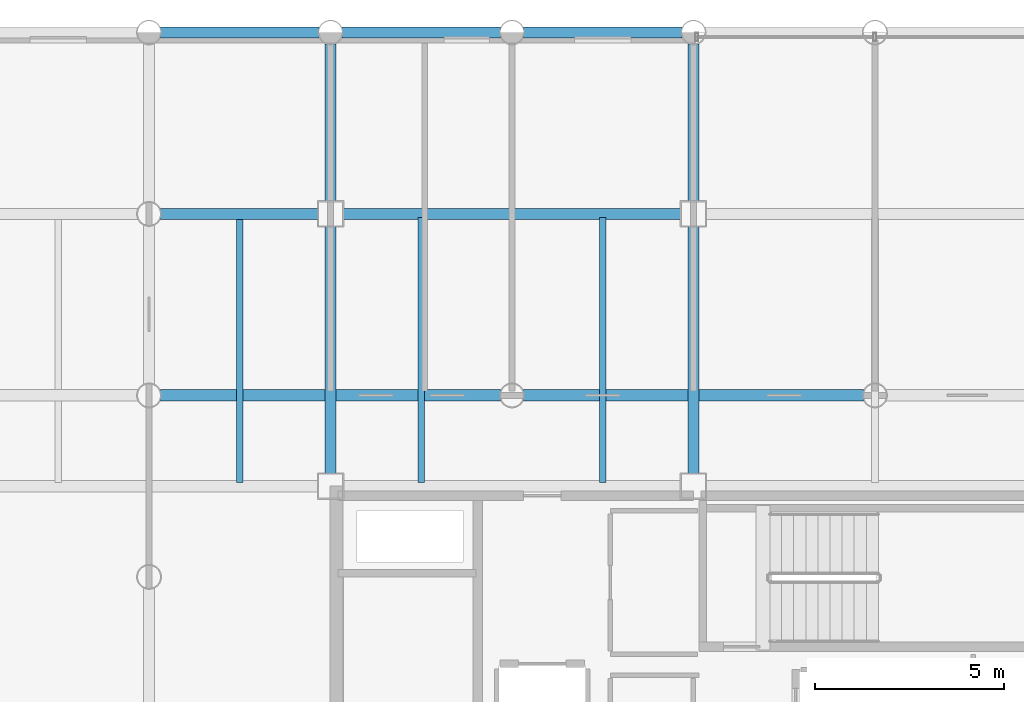
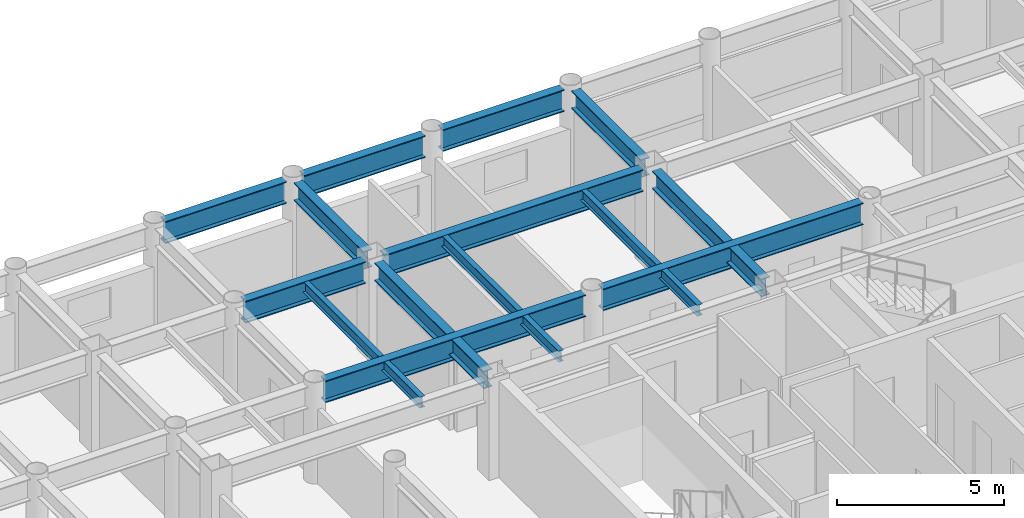
# One storey, part 10 of 20: 14 beams.
"""IFC4 building model written with IfcOpenShell, lengths in metres."""

from ifc_helpers import new_model, si_unit, direction, frame, origin, origin_2d, place, context, subcontext, project, spatial, i_section, extrude, material, material_profile, profile_set, type_object, element, save


model = new_model("IFC4")

# Units and contexts
model_context = context("Model", 3, precision=1e-05, world=origin(), true_north=direction((0.0, 1.0)))
body_context = subcontext(model_context, "Body", "Model", "MODEL_VIEW")
ifc_project = project(units=[si_unit("LENGTHUNIT", "METRE"), si_unit("AREAUNIT", "SQUARE_METRE"), si_unit("VOLUMEUNIT", "CUBIC_METRE"), si_unit("PLANEANGLEUNIT", "RADIAN"), si_unit("MASSUNIT", "GRAM", prefix="KILO")], contexts=[model_context])

# Site, building, storey
site_placement = place(None, origin())
site = spatial("IfcSite", under=ifc_project, at=site_placement, CompositionType="ELEMENT")
building_placement = place(site_placement, origin())
building = spatial("IfcBuilding", under=site, at=building_placement, Name="Kallvorn Hotel Tower", CompositionType="ELEMENT")
storey_placement = place(building_placement, frame((0.0, 0.0, 158.10009765625)))
storey = spatial("IfcBuildingStorey", under=building, at=storey_placement, Name="L39", CompositionType="ELEMENT", Elevation=158.10009765625)

# Beams
ifc_material_1 = material(Name="Structural steel S355JR", Category="steel")
ifc_material_profile_1 = material_profile(ifc_material_1, i_section(OverallWidth=0.300048828125, OverallDepth=0.64990234375, WebThickness=0.01611328125, FlangeThickness=0.031005859375, at=origin_2d()), Name="HE 650 B")
ifc_profile_set_1 = profile_set([ifc_material_profile_1], Name="Structural steel S355JR")
beam_type_1 = type_object("IfcBeamType", Name="BM_HE650B", PredefinedType="BEAM", material=ifc_profile_set_1)
beam_1_placement = place(storey_placement, frame((-14.39990234375, 7.52490234375, 3.19482421875), z_axis=(0.0, 1.0, 0.0), x_axis=(-1.0, 0.0, 0.0)))
element("IfcBeam", 1, at=beam_1_placement, inside=storey, type_object=beam_type_1, Name="L40 Primary Y-Girder 101", PredefinedType="BEAM", context=body_context, shape_type="SweptSolid", body=[
    extrude(i_section(OverallWidth=0.300048828125, OverallDepth=0.64990234375, WebThickness=0.01611328125, FlangeThickness=0.031005859375, at=origin_2d()), origin(), (0.0, 0.0, 1.0), 6.550048828125),
])
beam_2_placement = place(storey_placement, frame((-14.39990234375, 14.72509765625, 3.19482421875), z_axis=(0.0, 1.0, 0.0), x_axis=(-1.0, 0.0, 0.0)))
element("IfcBeam", 2, at=beam_2_placement, inside=storey, type_object=beam_type_1, Name="L40 Primary Y-Girder 102", PredefinedType="BEAM", context=body_context, shape_type="SweptSolid", body=[
    extrude(i_section(OverallWidth=0.300048828125, OverallDepth=0.64990234375, WebThickness=0.01611328125, FlangeThickness=0.031005859375, at=origin_2d()), origin(), (0.0, 0.0, 1.0), 4.169921875),
])
beam_3_placement = place(storey_placement, frame((-4.800048828125, 7.52490234375, 3.19482421875), z_axis=(0.0, 1.0, 0.0), x_axis=(-1.0, 0.0, 0.0)))
element("IfcBeam", 3, at=beam_3_placement, inside=storey, type_object=beam_type_1, Name="L40 Primary Y-Girder 109", PredefinedType="BEAM", context=body_context, shape_type="SweptSolid", body=[
    extrude(i_section(OverallWidth=0.300048828125, OverallDepth=0.64990234375, WebThickness=0.01611328125, FlangeThickness=0.031005859375, at=origin_2d()), origin(), (0.0, 0.0, 1.0), 6.550048828125),
])
beam_4_placement = place(storey_placement, frame((-4.800048828125, 14.72509765625, 3.19482421875), z_axis=(0.0, 1.0, 0.0), x_axis=(-1.0, 0.0, 0.0)))
element("IfcBeam", 4, at=beam_4_placement, inside=storey, type_object=beam_type_1, Name="L40 Primary Y-Girder 110", PredefinedType="BEAM", context=body_context, shape_type="SweptSolid", body=[
    extrude(i_section(OverallWidth=0.300048828125, OverallDepth=0.64990234375, WebThickness=0.01611328125, FlangeThickness=0.031005859375, at=origin_2d()), origin(), (0.0, 0.0, 1.0), 4.169921875),
])
ifc_material_2 = material(Name="Structural steel S355JR", Category="steel")
ifc_material_profile_2 = material_profile(ifc_material_2, i_section(OverallWidth=0.300048828125, OverallDepth=0.800048828125, WebThickness=0.017578125, FlangeThickness=0.032958984375, at=origin_2d()), Name="HE 800 B")
ifc_profile_set_2 = profile_set([ifc_material_profile_2], Name="Structural steel S355JR")
beam_type_2 = type_object("IfcBeamType", Name="BM_HE800B", PredefinedType="BEAM", material=ifc_profile_set_2)
for number, where, z_axis, x_axis, name in (
    (5, (-18.89501953125, 9.60009765625, 3.119873046875), (1.0, 0.0, 0.0), (0.0, 1.0, 0.0), "L40 Primary X-Girder 45"),
    (6, (-9.294921875, 9.60009765625, 3.119873046875), (1.0, 0.0, 0.0), (0.0, 1.0, 0.0), "L40 Primary X-Girder 46"),
):
    element("IfcBeam", number, at=place(storey_placement, frame(where, z_axis=z_axis, x_axis=x_axis)), inside=storey, type_object=beam_type_2, Name=name, PredefinedType="BEAM", context=body_context, shape_type="SweptSolid", body=[
        extrude(i_section(OverallWidth=0.300048828125, OverallDepth=0.800048828125, WebThickness=0.017578125, FlangeThickness=0.032958984375, at=origin_2d()), origin(), (0.0, 0.0, 1.0), 8.989990234375),
    ])
beam_5_placement = place(storey_placement, frame((-18.89501953125, 14.39990234375, 3.119873046875), z_axis=(1.0, 0.0, 0.0), x_axis=(0.0, 1.0, 0.0)))
element("IfcBeam", 7, at=beam_5_placement, inside=storey, type_object=beam_type_2, Name="L40 Primary X-Girder 54", PredefinedType="BEAM", context=body_context, shape_type="SweptSolid", body=[
    extrude(i_section(OverallWidth=0.300048828125, OverallDepth=0.800048828125, WebThickness=0.017578125, FlangeThickness=0.032958984375, at=origin_2d()), origin(), (0.0, 0.0, 1.0), 4.169921875),
])
beam_6_placement = place(storey_placement, frame((-14.074951171875, 14.39990234375, 3.119873046875), z_axis=(1.0, 0.0, 0.0), x_axis=(0.0, 1.0, 0.0)))
element("IfcBeam", 8, at=beam_6_placement, inside=storey, type_object=beam_type_2, Name="L40 Primary X-Girder 55", PredefinedType="BEAM", context=body_context, shape_type="SweptSolid", body=[
    extrude(i_section(OverallWidth=0.300048828125, OverallDepth=0.800048828125, WebThickness=0.017578125, FlangeThickness=0.032958984375, at=origin_2d()), origin(), (0.0, 0.0, 1.0), 8.949951171875),
])
for number, where, z_axis, x_axis, name in (
    (9, (-18.89501953125, 19.199951171875, 3.119873046875), (1.0, 0.0, 0.0), (0.0, 1.0, 0.0), "L40 Primary X-Girder 63"),
    (10, (-14.094970703125, 19.199951171875, 3.119873046875), (1.0, 0.0, 0.0), (0.0, 1.0, 0.0), "L40 Primary X-Girder 64"),
    (11, (-9.294921875, 19.199951171875, 3.119873046875), (1.0, 0.0, 0.0), (0.0, 1.0, 0.0), "L40 Primary X-Girder 65"),
):
    element("IfcBeam", number, at=place(storey_placement, frame(where, z_axis=z_axis, x_axis=x_axis)), inside=storey, type_object=beam_type_2, Name=name, PredefinedType="BEAM", context=body_context, shape_type="SweptSolid", body=[
        extrude(i_section(OverallWidth=0.300048828125, OverallDepth=0.800048828125, WebThickness=0.017578125, FlangeThickness=0.032958984375, at=origin_2d()), origin(), (0.0, 0.0, 1.0), 4.18994140625),
    ])
ifc_material_3 = material(Name="Structural steel S355JR", Category="steel")
ifc_material_profile_3 = material_profile(ifc_material_3, i_section(OverallWidth=0.179931640625, OverallDepth=0.39990234375, WebThickness=0.008544921875, FlangeThickness=0.013427734375, at=origin_2d()), Name="IPE 400")
ifc_profile_set_3 = profile_set([ifc_material_profile_3], Name="Structural steel S355JR")
beam_type_3 = type_object("IfcBeamType", Name="BM_IPE400", PredefinedType="JOIST", material=ifc_profile_set_3)
for number, where, z_axis, x_axis, name in (
    (12, (-16.800048828125, 7.300048828125, 3.31982421875), (0.0, 1.0, 0.0), (-1.0, 0.0, 0.0), "L40 Secondary Composite Joist 195"),
    (13, (-12.0, 7.300048828125, 3.31982421875), (0.0, 1.0, 0.0), (-1.0, 0.0, 0.0), "L40 Secondary Composite Joist 197"),
    (14, (-7.199951171875, 7.300048828125, 3.31982421875), (0.0, 1.0, 0.0), (-1.0, 0.0, 0.0), "L40 Secondary Composite Joist 199"),
):
    element("IfcBeam", number, at=place(storey_placement, frame(where, z_axis=z_axis, x_axis=x_axis)), inside=storey, type_object=beam_type_3, Name=name, PredefinedType="JOIST", context=body_context, shape_type="SweptSolid", body=[
        extrude(i_section(OverallWidth=0.179931640625, OverallDepth=0.39990234375, WebThickness=0.008544921875, FlangeThickness=0.013427734375, at=origin_2d()), origin(), (0.0, 0.0, 1.0), 7.0),
    ])

save(model, "model.ifc")
